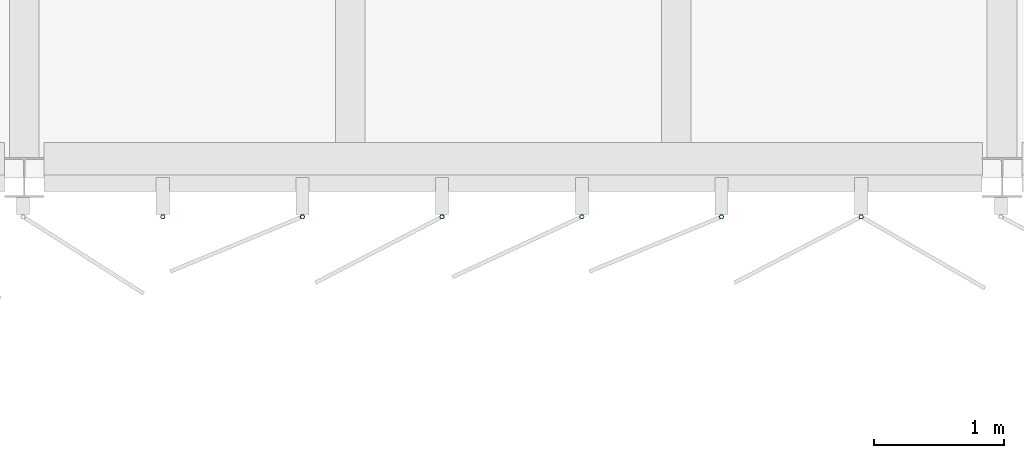
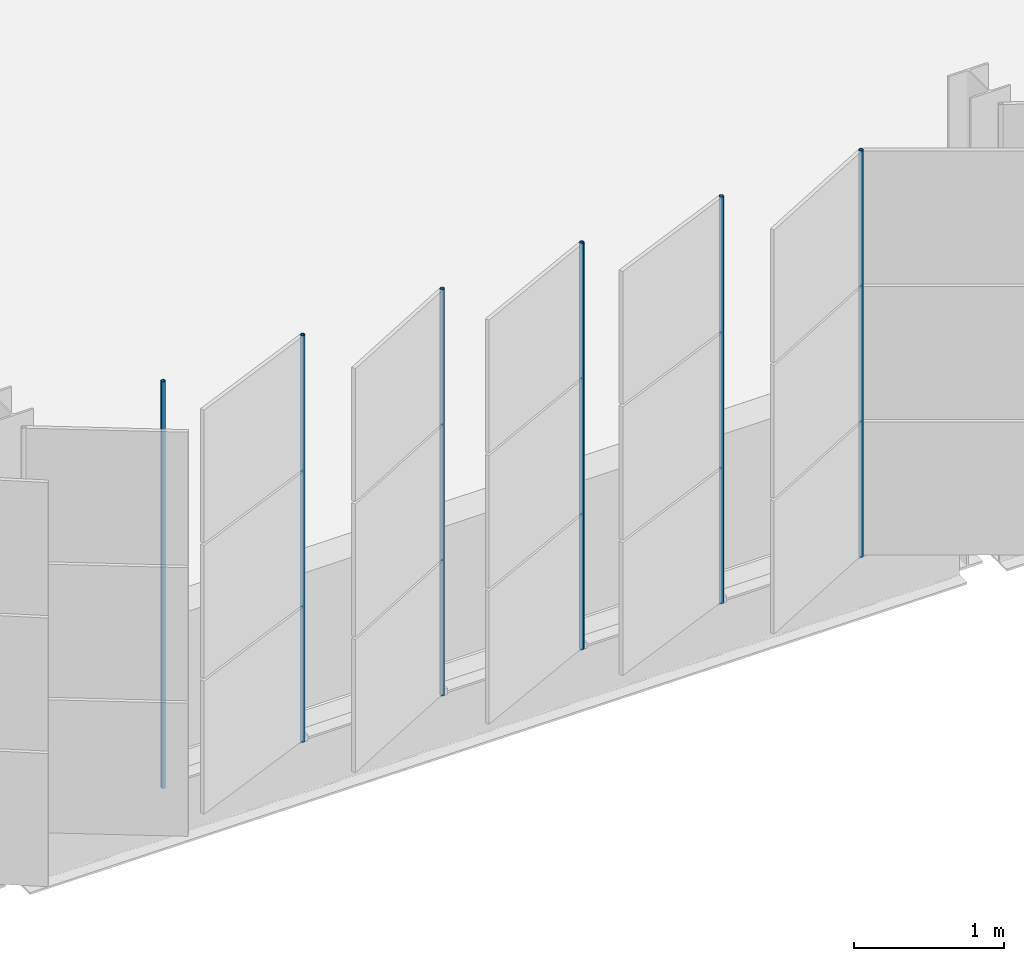
# One storey, part 84 of 199: 6 discrete accessories.
"""IFC4 building model written with IfcOpenShell, lengths in metres."""

from ifc_helpers import new_model, si_unit, direction, frame, origin, origin_2d, place, context, subcontext, project, spatial, hollow_circle, extrude, material, material_profile, profile_set, type_object, element, save


model = new_model("IFC4")

# Units and contexts
model_context = context("Model", 3, precision=1e-05, world=origin(), true_north=direction((0.0, 1.0)))
body_context = subcontext(model_context, "Body", "Model", "MODEL_VIEW")
ifc_project = project(units=[si_unit("LENGTHUNIT", "METRE"), si_unit("AREAUNIT", "SQUARE_METRE"), si_unit("VOLUMEUNIT", "CUBIC_METRE"), si_unit("PLANEANGLEUNIT", "RADIAN"), si_unit("MASSUNIT", "GRAM", prefix="KILO")], contexts=[model_context])

# Site, building, storey
site_placement = place(None, origin())
site = spatial("IfcSite", under=ifc_project, at=site_placement, CompositionType="ELEMENT")
building_placement = place(site_placement, origin())
building = spatial("IfcBuilding", under=site, at=building_placement, Name="Parallax Yard Mobility Hub", CompositionType="ELEMENT")
storey_placement = place(building_placement, frame((0.0, 0.0, 9.89990234375)))
storey = spatial("IfcBuildingStorey", under=building, at=storey_placement, Name="L03", CompositionType="ELEMENT", Elevation=9.89990234375)

# Discrete accessories
ifc_material = material(Name="Steel ASTM A500 Gr C, hot-dip galvanised", Category="steel")
ifc_material_profile = material_profile(ifc_material, hollow_circle(Radius=0.016845703125, WallThickness=0.003173828125, at=origin_2d()), Name="CHS 33.7x3.2")
ifc_profile_set = profile_set([ifc_material_profile], Name="Steel ASTM A500 Gr C, hot-dip galvanised")
discrete_accessory_type = type_object("IfcDiscreteAccessoryType", Name="Hinge post CHS 33.7x3.2", PredefinedType="BRACKET", material=ifc_profile_set)
for number, where, z_axis, x_axis, name in (
    (1, (106.06201171875, 112.199951171875, 0.0), (0.0, 0.0, 1.0), (1.0, 0.0, 0.0), "Hinge post bay 10.2 level L03"),
    (2, (107.13330078125, 112.199951171875, 0.0), (0.0, 0.0, 1.0), (1.0, 0.0, 0.0), "Hinge post bay 10.3 level L03"),
    (3, (108.204833984375, 112.199951171875, 0.0), (0.0, 0.0, 1.0), (1.0, 0.0, 0.0), "Hinge post bay 10.4 level L03"),
    (4, (109.2763671875, 112.199951171875, 0.0), (0.0, 0.0, 1.0), (1.0, 0.0, 0.0), "Hinge post bay 10.5 level L03"),
    (5, (110.347900390625, 112.199951171875, 0.0), (0.0, 0.0, 1.0), (1.0, 0.0, 0.0), "Hinge post bay 10.6 level L03"),
    (6, (111.41943359375, 112.199951171875, 0.0), (0.0, 0.0, 1.0), (1.0, 0.0, 0.0), "Hinge post bay 10.7 level L03"),
):
    element("IfcDiscreteAccessory", number, at=place(storey_placement, frame(where, z_axis=z_axis, x_axis=x_axis)), inside=storey, type_object=discrete_accessory_type, Name=name, PredefinedType="BRACKET", context=body_context, shape_type="SweptSolid", body=[
        extrude(hollow_circle(Radius=0.016845703125, WallThickness=0.003173828125, at=origin_2d()), origin(), (0.0, 0.0, 1.0), 3.300048828125),
    ])

save(model, "model.ifc")
